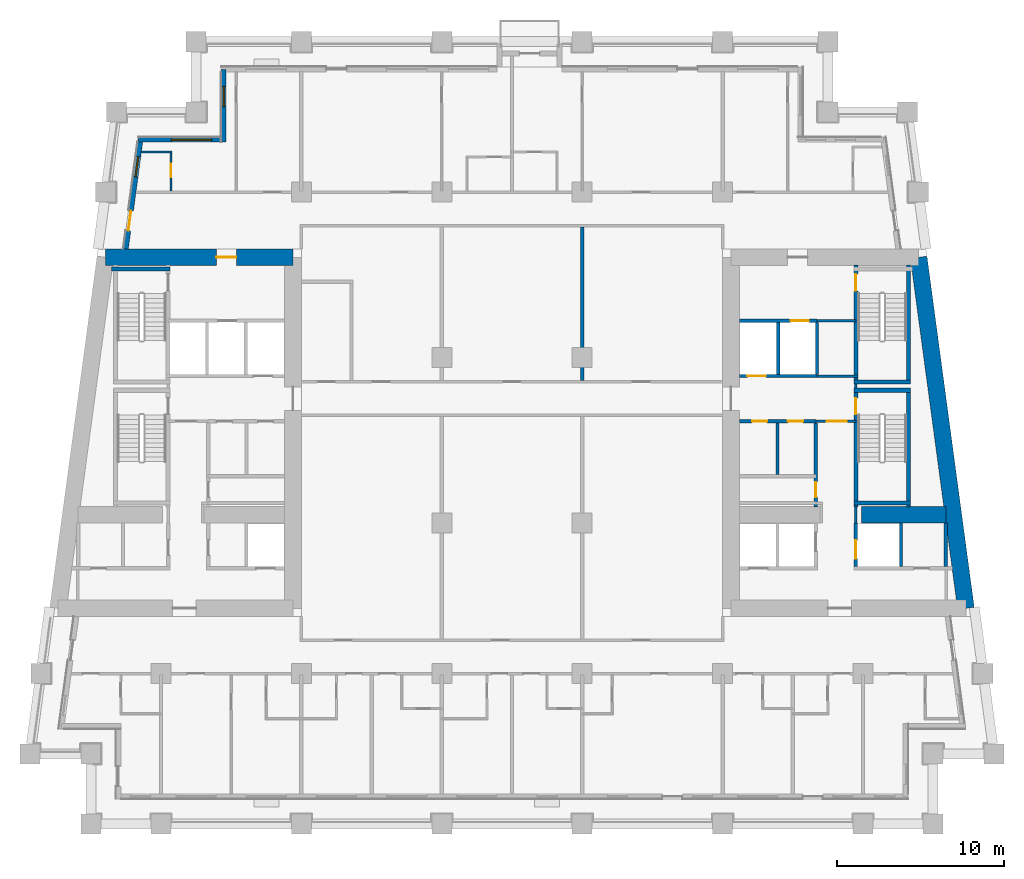
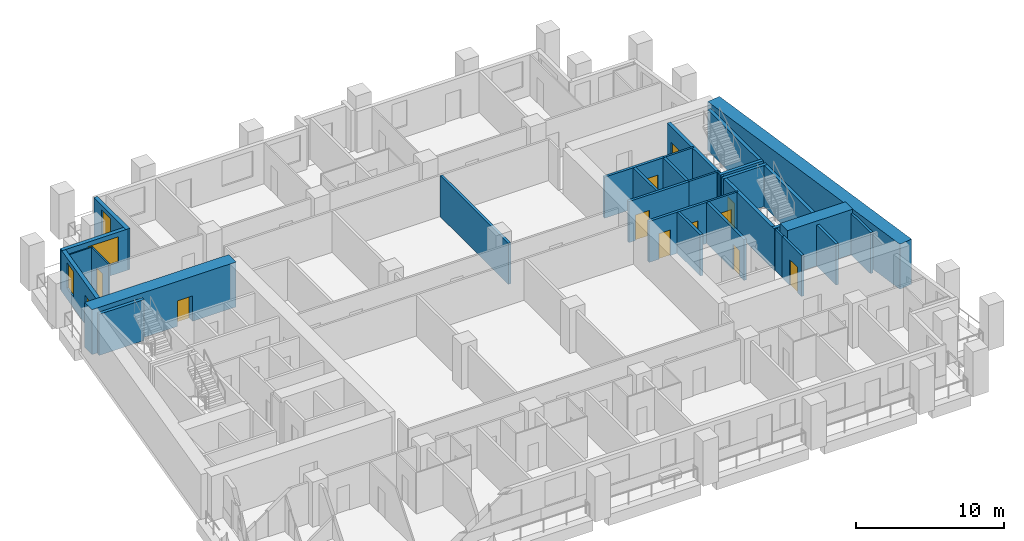
# One storey, part 6 of 13: 32 walls, 12 doors, 3 windows, 15 openings.
"""IFC4 building model written with IfcOpenShell, lengths in metres."""

from ifc_helpers import new_model, si_unit, direction, frame, frame_2d, origin, place, context, subcontext, project, spatial, rectangle, extrude, material, layer, layer_set, type_object, element, fill, save


model = new_model("IFC4")

# Units and contexts
model_context = context("Model", 3, precision=1e-05, world=origin(), true_north=direction((0.0, 1.0)))
body_context = subcontext(model_context, "Body", "Model", "MODEL_VIEW")
ifc_project = project(units=[si_unit("LENGTHUNIT", "METRE"), si_unit("AREAUNIT", "SQUARE_METRE"), si_unit("VOLUMEUNIT", "CUBIC_METRE"), si_unit("PLANEANGLEUNIT", "RADIAN"), si_unit("MASSUNIT", "GRAM", prefix="KILO")], contexts=[model_context])

# Site, building, storey
site_placement = place(None, origin())
site = spatial("IfcSite", under=ifc_project, at=site_placement, CompositionType="ELEMENT")
building_placement = place(site_placement, origin())
building = spatial("IfcBuilding", under=site, at=building_placement, Name="Candeia Pilgrim Tower and Theatre", CompositionType="ELEMENT")
storey_placement = place(building_placement, frame((0.0, 0.0, 94.699951171875)))
storey = spatial("IfcBuildingStorey", under=building, at=storey_placement, Name="L21", CompositionType="ELEMENT", Elevation=94.699951171875)

# Wall, opening, door
ifc_material_1 = material(Name="Concrete C70/85", Category="concrete")
ifc_layer_1 = layer(ifc_material_1, 1.0)
ifc_layer_set_1 = layer_set([ifc_layer_1], Name="Core wall 1000 C70/85")
wall_type_1 = type_object("IfcWallType", Name="Core wall 1000 C70/85", PredefinedType="SHEAR", material=ifc_layer_set_1)
wall_1_placement = place(storey_placement, frame((89.06787109375, 131.89990234375, 0.0), z_axis=(0.0, 0.0, 1.0), x_axis=(1.0, 0.0, 0.0)))
wall_1 = element("IfcWall", 1, at=wall_1_placement, inside=storey, type_object=wall_type_1, Name="Core wall W1", PredefinedType="SHEAR", context=body_context, shape_type="SweptSolid", body=[
    extrude(rectangle(XDim=11.232177734375, YDim=1.0, at=frame_2d((5.6162109375, 0.0))), origin(), (0.0, 0.0, 1.0), 3.699951171875),
])
opening_1_placement = place(wall_1_placement, frame((6.6455078125, 0.0, 0.0)))
opening_1 = element("IfcOpeningElement", 2, at=opening_1_placement, cuts=wall_1, Name="Opening L21-D058", PredefinedType="OPENING", context=body_context, shape_type="SweptSolid", body=[
    extrude(rectangle(XDim=1.199951171875, YDim=2.10009765625, at=frame_2d((0.60009765625, 1.050048828125))), frame((0.0, 0.510009765625, 0.0), z_axis=(0.0, -1.0, 0.0), x_axis=(1.0, 0.0, 0.0)), (0.0, 0.0, 1.0), 1.02001953125),
])
ifc_material_2 = material(Name="Steel fire door set", Category="steel")
door_type_1 = type_object("IfcDoorType", Name="D-1200-FD60", OperationType="NOTDEFINED", PredefinedType="DOOR", material=ifc_material_2)
door_1_placement = place(opening_1_placement, origin())
door_1 = element("IfcDoor", 3, at=door_1_placement, inside=storey, type_object=door_type_1, Name="Door L21-D058", OperationType="SINGLE_SWING_LEFT", OverallHeight=2.10009765625, OverallWidth=1.199951171875, PredefinedType="DOOR", context=body_context, shape_type="SweptSolid", body=[
    extrude(rectangle(XDim=1.199951171875, YDim=2.10009765625, at=frame_2d((0.60009765625, 1.050048828125))), frame((0.0, 0.02490234375, 0.0), z_axis=(0.0, -1.0, 0.0), x_axis=(1.0, 0.0, 0.0)), (0.0, 0.0, 1.0), 0.050048828125),
])
fill(opening_1, door_1)

# Walls
wall_2_placement = place(storey_placement, frame((137.73193359375, 131.89990234375, 0.0), z_axis=(0.0, 0.0, 1.0), x_axis=(0.133411141623, -0.991060778808, 0.0)))
element("IfcWall", 4, at=wall_2_placement, inside=storey, type_object=wall_type_1, Name="Core wall E2", PredefinedType="SHEAR", context=body_context, shape_type="SweptSolid", body=[
    extrude(rectangle(XDim=21.189453125, YDim=1.0, at=frame_2d((10.5947265625, 0.0))), origin(), (0.0, 0.0, 1.0), 3.699951171875),
])
wall_3_placement = place(storey_placement, frame((134.300048828125, 116.5, 0.0), z_axis=(0.0, 0.0, 1.0), x_axis=(1.0, 0.0, 0.0)))
element("IfcWall", 5, at=wall_3_placement, inside=storey, type_object=wall_type_1, Name="Core wall E6", PredefinedType="SHEAR", context=body_context, shape_type="SweptSolid", body=[
    extrude(rectangle(XDim=5.076904296875, YDim=1.0, at=frame_2d((2.53857421875, 0.0))), origin(), (0.0, 0.0, 1.0), 3.699951171875),
])

# Wall, opening, window
ifc_material_3 = material(Name="Ceramic block masonry", Category="masonry")
ifc_layer_2 = layer(ifc_material_3, 0.300048828125)
ifc_layer_set_2 = layer_set([ifc_layer_2], Name="EW1 glazing-line wall 300")
wall_type_2 = type_object("IfcWallType", Name="EW1 glazing-line wall 300", PredefinedType="SOLIDWALL", material=ifc_layer_set_2)
wall_4_placement = place(storey_placement, frame((96.14990234375, 143.14990234375, 0.0), z_axis=(0.0, 0.0, 1.0), x_axis=(0.0, -1.0, 0.0)))
wall_4 = element("IfcWall", 6, at=wall_4_placement, inside=storey, type_object=wall_type_2, Name="External wall L21-7.0", PredefinedType="SOLIDWALL", context=body_context, shape_type="SweptSolid", body=[
    extrude(rectangle(XDim=4.349853515625, YDim=0.300048828125, at=frame_2d((2.1748046875, 0.0))), origin(), (0.0, 0.0, 1.0), 3.380126953125),
])
opening_2_placement = place(wall_4_placement, frame((1.02490234375, 0.0, 0.89990234375)))
opening_2 = element("IfcOpeningElement", 7, at=opening_2_placement, cuts=wall_4, Name="Opening W-B", PredefinedType="OPENING", context=body_context, shape_type="SweptSolid", body=[
    extrude(rectangle(XDim=1.199951171875, YDim=2.10009765625, at=frame_2d((0.60009765625, 1.050048828125))), frame((0.0, 0.16015625, 0.0), z_axis=(0.0, -1.0, 0.0), x_axis=(1.0, 0.0, 0.0)), (0.0, 0.0, 1.0), 0.320068359375),
])
ifc_material_4 = material(Name="Aluminium framed double glazing", Category="aluminium")
window_type_1 = type_object("IfcWindowType", Name="W-B window 1200x2100", PartitioningType="SINGLE_PANEL", PredefinedType="WINDOW", material=ifc_material_4)
window_1_placement = place(opening_2_placement, origin())
window_1 = element("IfcWindow", 8, at=window_1_placement, inside=storey, type_object=window_type_1, Name="Window W-B L21", OverallHeight=2.10009765625, OverallWidth=1.199951171875, PartitioningType="SINGLE_PANEL", PredefinedType="WINDOW", context=body_context, shape_type="SweptSolid", body=[
    extrude(rectangle(XDim=1.199951171875, YDim=2.10009765625, at=frame_2d((0.60009765625, 1.050048828125))), frame((0.0, 0.030029296875, 0.0), z_axis=(0.0, -1.0, 0.0), x_axis=(1.0, 0.0, 0.0)), (0.0, 0.0, 1.0), 0.06005859375),
])
fill(opening_2, window_1)

wall_5_placement = place(storey_placement, frame((96.14990234375, 138.949951171875, 0.0), z_axis=(0.0, 0.0, 1.0), x_axis=(-1.0, 0.0, 0.0)))
wall_5 = element("IfcWall", 9, at=wall_5_placement, inside=storey, type_object=wall_type_2, Name="External wall L21-8.0", PredefinedType="SOLIDWALL", context=body_context, shape_type="SweptSolid", body=[
    extrude(rectangle(XDim=5.103759765625, YDim=0.300048828125, at=frame_2d((2.5517578125, 0.0))), origin(), (0.0, 0.0, 1.0), 3.380126953125),
])
opening_3_placement = place(wall_5_placement, frame((0.72509765625, 0.0, 0.89990234375)))
opening_3 = element("IfcOpeningElement", 10, at=opening_3_placement, cuts=wall_5, Name="Opening W-A", PredefinedType="OPENING", context=body_context, shape_type="SweptSolid", body=[
    extrude(rectangle(XDim=2.39990234375, YDim=2.10009765625, at=frame_2d((1.199951171875, 1.050048828125))), frame((0.0, 0.16015625, 0.0), z_axis=(0.0, -1.0, 0.0), x_axis=(1.0, 0.0, 0.0)), (0.0, 0.0, 1.0), 0.320068359375),
])
window_type_2 = type_object("IfcWindowType", Name="W-A window 2400x2100", PartitioningType="DOUBLE_PANEL_VERTICAL", PredefinedType="WINDOW", material=ifc_material_4)
window_2_placement = place(opening_3_placement, origin())
window_2 = element("IfcWindow", 11, at=window_2_placement, inside=storey, type_object=window_type_2, Name="Window W-A L21", OverallHeight=2.10009765625, OverallWidth=2.39990234375, PartitioningType="SINGLE_PANEL", PredefinedType="WINDOW", context=body_context, shape_type="SweptSolid", body=[
    extrude(rectangle(XDim=2.39990234375, YDim=2.10009765625, at=frame_2d((1.199951171875, 1.050048828125))), frame((0.0, 0.030029296875, 0.0), z_axis=(0.0, -1.0, 0.0), x_axis=(1.0, 0.0, 0.0)), (0.0, 0.0, 1.0), 0.06005859375),
])
fill(opening_3, window_2)

# Wall, openings, door, window
wall_6_placement = place(storey_placement, frame((91.177490234375, 138.949951171875, 0.0), z_axis=(0.0, 0.0, 1.0), x_axis=(-0.133426664613, -0.991058689065, 0.0)))
wall_6 = element("IfcWall", 12, at=wall_6_placement, inside=storey, type_object=wall_type_2, Name="External wall L21-9.0", PredefinedType="SOLIDWALL", context=body_context, shape_type="SweptSolid", body=[
    extrude(rectangle(XDim=6.609130859375, YDim=0.300048828125, at=frame_2d((3.3046875, 0.0))), origin(), (0.0, 0.0, 1.0), 3.380126953125),
])
opening_4_placement = place(wall_6_placement, frame((1.039306640625, 0.0, 0.89990234375)))
opening_4 = element("IfcOpeningElement", 13, at=opening_4_placement, cuts=wall_6, Name="Opening W-B", PredefinedType="OPENING", context=body_context, shape_type="SweptSolid", body=[
    extrude(rectangle(XDim=1.199951171875, YDim=2.10009765625, at=frame_2d((0.60009765625, 1.050048828125))), frame((0.0, 0.16015625, 0.0), z_axis=(0.0, -1.0, 0.0), x_axis=(1.0, 0.0, 0.0)), (0.0, 0.0, 1.0), 0.320068359375),
])
opening_5_placement = place(wall_6_placement, frame((4.293701171875, 0.0, 0.0)))
opening_5 = element("IfcOpeningElement", 14, at=opening_5_placement, cuts=wall_6, Name="Opening L21-ED222", PredefinedType="OPENING", context=body_context, shape_type="SweptSolid", body=[
    extrude(rectangle(XDim=1.199951171875, YDim=2.39990234375, at=frame_2d((0.60009765625, 1.199951171875))), frame((0.0, 0.16015625, 0.0), z_axis=(0.0, -1.0, 0.0), x_axis=(1.0, 0.0, 0.0)), (0.0, 0.0, 1.0), 0.320068359375),
])
ifc_material_5 = material(Name="Aluminium framed glazed door", Category="aluminium")
door_type_2 = type_object("IfcDoorType", Name="Loggia door 1200x2400", OperationType="DOUBLE_DOOR_SINGLE_SWING", PredefinedType="DOOR", material=ifc_material_5)
door_2_placement = place(opening_5_placement, origin())
door_2 = element("IfcDoor", 15, at=door_2_placement, inside=storey, type_object=door_type_2, Name="Loggia door L21-ED222", OperationType="DOUBLE_DOOR_SINGLE_SWING", OverallHeight=2.39990234375, OverallWidth=1.199951171875, PredefinedType="DOOR", context=body_context, shape_type="SweptSolid", body=[
    extrude(rectangle(XDim=1.199951171875, YDim=2.39990234375, at=frame_2d((0.60009765625, 1.199951171875))), frame((0.0, 0.02490234375, 0.0), z_axis=(0.0, -1.0, 0.0), x_axis=(1.0, 0.0, 0.0)), (0.0, 0.0, 1.0), 0.050048828125),
])
fill(opening_5, door_2)
window_3_placement = place(opening_4_placement, origin())
window_3 = element("IfcWindow", 16, at=window_3_placement, inside=storey, type_object=window_type_1, Name="Window W-B L21", OverallHeight=2.10009765625, OverallWidth=1.199951171875, PartitioningType="SINGLE_PANEL", PredefinedType="WINDOW", context=body_context, shape_type="SweptSolid", body=[
    extrude(rectangle(XDim=1.199951171875, YDim=2.10009765625, at=frame_2d((0.60009765625, 1.050048828125))), frame((0.0, 0.030029296875, 0.0), z_axis=(0.0, -1.0, 0.0), x_axis=(1.0, 0.0, 0.0)), (0.0, 0.0, 1.0), 0.06005859375),
])
fill(opening_4, window_3)

# Wall
ifc_material_6 = material(Name="Gypsum board partition on steel studs", Category="steel")
ifc_layer_3 = layer(ifc_material_6, 0.10009765625)
ifc_layer_set_3 = layer_set([ifc_layer_3], Name="PW-100 room partition")
wall_type_3 = type_object("IfcWallType", Name="PW-100 room partition", PredefinedType="PARTITIONING", material=ifc_layer_set_3)
wall_7_placement = place(storey_placement, frame((91.2177734375, 138.199951171875, 0.0), z_axis=(0.0, 0.0, 1.0), x_axis=(1.0, 0.0, 0.0)))
element("IfcWall", 17, at=wall_7_placement, inside=storey, type_object=wall_type_3, Name="Room partition L21-046", PredefinedType="PARTITIONING", context=body_context, shape_type="SweptSolid", body=[
    extrude(rectangle(XDim=1.832275390625, YDim=0.10009765625, at=frame_2d((0.916015625, 0.0))), origin(), (0.0, 0.0, 1.0), 3.380126953125),
])

# Wall, opening, door
wall_8_placement = place(storey_placement, frame((93.0, 135.875, 0.0), z_axis=(0.0, 0.0, 1.0), x_axis=(0.0, 1.0, 0.0)))
wall_8 = element("IfcWall", 18, at=wall_8_placement, inside=storey, type_object=wall_type_3, Name="Room partition L21-061", PredefinedType="PARTITIONING", context=body_context, shape_type="SweptSolid", body=[
    extrude(rectangle(XDim=2.27490234375, YDim=0.10009765625, at=frame_2d((1.137451171875, 0.0))), origin(), (0.0, 0.0, 1.0), 3.380126953125),
])
opening_6_placement = place(wall_8_placement, frame((0.81494140625, 0.0, 0.0)))
opening_6 = element("IfcOpeningElement", 19, at=opening_6_placement, cuts=wall_8, Name="Opening L21-D040", PredefinedType="OPENING", context=body_context, shape_type="SweptSolid", body=[
    extrude(rectangle(XDim=0.800048828125, YDim=2.10009765625, at=frame_2d((0.39990234375, 1.050048828125))), frame((0.0, 0.06005859375, 0.0), z_axis=(0.0, -1.0, 0.0), x_axis=(1.0, 0.0, 0.0)), (0.0, 0.0, 1.0), 0.1201171875),
])
ifc_material_7 = material(Name="Timber door leaf", Category="wood")
door_type_3 = type_object("IfcDoorType", Name="D-800", OperationType="NOTDEFINED", PredefinedType="DOOR", material=ifc_material_7)
door_3_placement = place(opening_6_placement, origin())
door_3 = element("IfcDoor", 20, at=door_3_placement, inside=storey, type_object=door_type_3, Name="Door L21-D040", OperationType="SINGLE_SWING_LEFT", OverallHeight=2.10009765625, OverallWidth=0.800048828125, PredefinedType="DOOR", context=body_context, shape_type="SweptSolid", body=[
    extrude(rectangle(XDim=0.800048828125, YDim=2.10009765625, at=frame_2d((0.39990234375, 1.050048828125))), frame((0.0, 0.02490234375, 0.0), z_axis=(0.0, -1.0, 0.0), x_axis=(1.0, 0.0, 0.0)), (0.0, 0.0, 1.0), 0.050048828125),
])
fill(opening_6, door_3)

ifc_layer_4 = layer(ifc_material_6, 0.14990234375)
ifc_layer_set_4 = layer_set([ifc_layer_4], Name="PW-150 lobby wall")
wall_type_4 = type_object("IfcWallType", Name="PW-150 lobby wall", PredefinedType="PARTITIONING", material=ifc_layer_set_4)
wall_9_placement = place(storey_placement, frame((131.572998046875, 122.10009765625, 0.0), z_axis=(0.0, 0.0, 1.0), x_axis=(1.0, 0.0, 0.0)))
wall_9 = element("IfcWall", 21, at=wall_9_placement, inside=storey, type_object=wall_type_4, Name="Lobby wall L21-027", PredefinedType="PARTITIONING", context=body_context, shape_type="SweptSolid", body=[
    extrude(rectangle(XDim=2.39990234375, YDim=0.14990234375, at=frame_2d((1.199951171875, 0.0))), origin(), (0.0, 0.0, 1.0), 3.380126953125),
])
opening_7_placement = place(wall_9_placement, frame((0.64990234375, 0.0, 0.0)))
opening_7 = element("IfcOpeningElement", 22, at=opening_7_placement, cuts=wall_9, Name="Opening L21-D010", PredefinedType="OPENING", context=body_context, shape_type="SweptSolid", body=[
    extrude(rectangle(XDim=1.199951171875, YDim=2.10009765625, at=frame_2d((0.60009765625, 1.050048828125))), frame((0.0, 0.0849609375, 0.0), z_axis=(0.0, -1.0, 0.0), x_axis=(1.0, 0.0, 0.0)), (0.0, 0.0, 1.0), 0.169921875),
])
door_4_placement = place(opening_7_placement, origin())
door_4 = element("IfcDoor", 23, at=door_4_placement, inside=storey, type_object=door_type_1, Name="Door L21-D010", OperationType="SINGLE_SWING_RIGHT", OverallHeight=2.10009765625, OverallWidth=1.199951171875, PredefinedType="DOOR", context=body_context, shape_type="SweptSolid", body=[
    extrude(rectangle(XDim=1.199951171875, YDim=2.10009765625, at=frame_2d((0.60009765625, 1.050048828125))), frame((0.0, 0.02490234375, 0.0), z_axis=(0.0, -1.0, 0.0), x_axis=(1.0, 0.0, 0.0)), (0.0, 0.0, 1.0), 0.050048828125),
])
fill(opening_7, door_4)

# Walls
wall_10_placement = place(storey_placement, frame((131.648681640625, 124.800048828125, 0.0), z_axis=(0.0, 0.0, 1.0), x_axis=(1.0, 0.0, 0.0)))
element("IfcWall", 24, at=wall_10_placement, inside=storey, type_object=wall_type_4, Name="Lobby wall L21-036", PredefinedType="PARTITIONING", context=body_context, shape_type="SweptSolid", body=[
    extrude(rectangle(XDim=2.44921875, YDim=0.14990234375, at=frame_2d((1.224609375, 0.0))), origin(), (0.0, 0.0, 1.0), 3.380126953125),
])
wall_11_placement = place(storey_placement, frame((131.648681640625, 128.10009765625, 0.0), z_axis=(0.0, 0.0, 1.0), x_axis=(1.0, 0.0, 0.0)))
element("IfcWall", 25, at=wall_11_placement, inside=storey, type_object=wall_type_4, Name="Lobby wall L21-039", PredefinedType="PARTITIONING", context=body_context, shape_type="SweptSolid", body=[
    extrude(rectangle(XDim=2.32421875, YDim=0.14990234375, at=frame_2d((1.162109375, 0.0))), origin(), (0.0, 0.0, 1.0), 3.380126953125),
])
wall_12_placement = place(storey_placement, frame((133.972900390625, 116.0, 0.0), z_axis=(0.0, 0.0, 1.0), x_axis=(0.0, 1.0, 0.0)))
element("IfcWall", 26, at=wall_12_placement, inside=storey, type_object=wall_type_4, Name="Lobby wall L21-112", PredefinedType="PARTITIONING", context=body_context, shape_type="SweptSolid", body=[
    extrude(rectangle(XDim=0.969970703125, YDim=0.14990234375, at=frame_2d((0.48486328125, 0.0))), origin(), (0.0, 0.0, 1.0), 3.380126953125),
])
wall_13_placement = place(storey_placement, frame((133.972900390625, 124.074951171875, 0.0), z_axis=(0.0, 0.0, 1.0), x_axis=(0.0, 1.0, 0.0)))
element("IfcWall", 27, at=wall_13_placement, inside=storey, type_object=wall_type_4, Name="Lobby wall L21-113", PredefinedType="PARTITIONING", context=body_context, shape_type="SweptSolid", body=[
    extrude(rectangle(XDim=0.25, YDim=0.14990234375, at=frame_2d((0.125, 0.0))), origin(), (0.0, 0.0, 1.0), 3.380126953125),
])
ifc_layer_5 = layer(ifc_material_6, 0.199951171875)
ifc_layer_set_5 = layer_set([ifc_layer_5], Name="PW-200 party wall")
wall_type_5 = type_object("IfcWallType", Name="PW-200 party wall", PredefinedType="PARTITIONING", material=ifc_layer_set_5)
wall_14_placement = place(storey_placement, frame((117.60009765625, 124.52490234375, 0.0), z_axis=(0.0, 0.0, 1.0), x_axis=(0.0, 1.0, 0.0)))
element("IfcWall", 28, at=wall_14_placement, inside=storey, type_object=wall_type_5, Name="Party wall L21-093", PredefinedType="PARTITIONING", context=body_context, shape_type="SweptSolid", body=[
    extrude(rectangle(XDim=9.2001953125, YDim=0.199951171875, at=frame_2d((4.60009765625, 0.0))), origin(), (0.0, 0.0, 1.0), 3.380126953125),
])

# Wall, openings, doors
ifc_material_8 = material(Name="Concrete C40/50", Category="concrete")
ifc_layer_6 = layer(ifc_material_8, 0.199951171875)
ifc_layer_set_6 = layer_set([ifc_layer_6], Name="SW-200 shaft wall")
wall_type_6 = type_object("IfcWallType", Name="SW-200 shaft wall", PredefinedType="PARTITIONING", material=ifc_layer_set_6)
wall_15_placement = place(storey_placement, frame((127.0, 122.10009765625, 0.0), z_axis=(0.0, 0.0, 1.0), x_axis=(1.0, 0.0, 0.0)))
wall_15 = element("IfcWall", 29, at=wall_15_placement, inside=storey, type_object=wall_type_6, Name="Shaft wall L21-025", PredefinedType="PARTITIONING", context=body_context, shape_type="SweptSolid", body=[
    extrude(rectangle(XDim=4.572998046875, YDim=0.199951171875, at=frame_2d((2.28662109375, 0.0))), origin(), (0.0, 0.0, 1.0), 3.380126953125),
])
opening_8_placement = place(wall_15_placement, frame((2.910888671875, 0.0, 0.0)))
opening_8 = element("IfcOpeningElement", 30, at=opening_8_placement, cuts=wall_15, Name="Opening L21-D011", PredefinedType="OPENING", context=body_context, shape_type="SweptSolid", body=[
    extrude(rectangle(XDim=0.89990234375, YDim=2.10009765625, at=frame_2d((0.449951171875, 1.050048828125))), frame((0.0, 0.10986328125, 0.0), z_axis=(0.0, -1.0, 0.0), x_axis=(1.0, 0.0, 0.0)), (0.0, 0.0, 1.0), 0.219970703125),
])
opening_9_placement = place(wall_15_placement, frame((0.761962890625, 0.0, 0.0)))
opening_9 = element("IfcOpeningElement", 31, at=opening_9_placement, cuts=wall_15, Name="Opening L21-D012", PredefinedType="OPENING", context=body_context, shape_type="SweptSolid", body=[
    extrude(rectangle(XDim=0.89990234375, YDim=2.10009765625, at=frame_2d((0.449951171875, 1.050048828125))), frame((0.0, 0.10986328125, 0.0), z_axis=(0.0, -1.0, 0.0), x_axis=(1.0, 0.0, 0.0)), (0.0, 0.0, 1.0), 0.219970703125),
])
door_type_4 = type_object("IfcDoorType", Name="D-900-FD60", OperationType="NOTDEFINED", PredefinedType="DOOR", material=ifc_material_2)
door_5_placement = place(opening_8_placement, origin())
door_5 = element("IfcDoor", 32, at=door_5_placement, inside=storey, type_object=door_type_4, Name="Door L21-D011", OperationType="SINGLE_SWING_LEFT", OverallHeight=2.10009765625, OverallWidth=0.89990234375, PredefinedType="DOOR", context=body_context, shape_type="SweptSolid", body=[
    extrude(rectangle(XDim=0.89990234375, YDim=2.10009765625, at=frame_2d((0.449951171875, 1.050048828125))), frame((0.0, 0.02490234375, 0.0), z_axis=(0.0, -1.0, 0.0), x_axis=(1.0, 0.0, 0.0)), (0.0, 0.0, 1.0), 0.050048828125),
])
fill(opening_8, door_5)
door_6_placement = place(opening_9_placement, origin())
door_6 = element("IfcDoor", 33, at=door_6_placement, inside=storey, type_object=door_type_4, Name="Door L21-D012", OperationType="SINGLE_SWING_RIGHT", OverallHeight=2.10009765625, OverallWidth=0.89990234375, PredefinedType="DOOR", context=body_context, shape_type="SweptSolid", body=[
    extrude(rectangle(XDim=0.89990234375, YDim=2.10009765625, at=frame_2d((0.449951171875, 1.050048828125))), frame((0.0, 0.02490234375, 0.0), z_axis=(0.0, -1.0, 0.0), x_axis=(1.0, 0.0, 0.0)), (0.0, 0.0, 1.0), 0.050048828125),
])
fill(opening_9, door_6)

# Wall, opening, door
wall_16_placement = place(storey_placement, frame((127.0, 124.800048828125, 0.0), z_axis=(0.0, 0.0, 1.0), x_axis=(1.0, 0.0, 0.0)))
wall_16 = element("IfcWall", 34, at=wall_16_placement, inside=storey, type_object=wall_type_6, Name="Shaft wall L21-035", PredefinedType="PARTITIONING", context=body_context, shape_type="SweptSolid", body=[
    extrude(rectangle(XDim=4.648681640625, YDim=0.199951171875, at=frame_2d((2.32421875, 0.0))), origin(), (0.0, 0.0, 1.0), 3.380126953125),
])
opening_10_placement = place(wall_16_placement, frame((0.48095703125, 0.0, 0.0)))
opening_10 = element("IfcOpeningElement", 35, at=opening_10_placement, cuts=wall_16, Name="Opening L21-LD05", PredefinedType="OPENING", context=body_context, shape_type="SweptSolid", body=[
    extrude(rectangle(XDim=1.10009765625, YDim=2.10009765625, at=frame_2d((0.550048828125, 1.050048828125))), frame((0.0, 0.10986328125, 0.0), z_axis=(0.0, -1.0, 0.0), x_axis=(1.0, 0.0, 0.0)), (0.0, 0.0, 1.0), 0.219970703125),
])
ifc_material_9 = material(Name="Glazed aluminium landing door", Category="aluminium")
door_type_5 = type_object("IfcDoorType", Name="LD-1100-EI120", OperationType="SLIDING_TO_LEFT", PredefinedType="DOOR", material=ifc_material_9)
door_7_placement = place(opening_10_placement, origin())
door_7 = element("IfcDoor", 36, at=door_7_placement, inside=storey, type_object=door_type_5, Name="Landing door 05 L21", OperationType="SLIDING_TO_LEFT", OverallHeight=2.10009765625, OverallWidth=1.10009765625, PredefinedType="DOOR", context=body_context, shape_type="SweptSolid", body=[
    extrude(rectangle(XDim=1.10009765625, YDim=2.10009765625, at=frame_2d((0.550048828125, 1.050048828125))), frame((0.0, 0.02490234375, 0.0), z_axis=(0.0, -1.0, 0.0), x_axis=(1.0, 0.0, 0.0)), (0.0, 0.0, 1.0), 0.050048828125),
])
fill(opening_10, door_7)

wall_17_placement = place(storey_placement, frame((127.0, 128.10009765625, 0.0), z_axis=(0.0, 0.0, 1.0), x_axis=(1.0, 0.0, 0.0)))
wall_17 = element("IfcWall", 37, at=wall_17_placement, inside=storey, type_object=wall_type_6, Name="Shaft wall L21-038", PredefinedType="PARTITIONING", context=body_context, shape_type="SweptSolid", body=[
    extrude(rectangle(XDim=4.648681640625, YDim=0.199951171875, at=frame_2d((2.32421875, 0.0))), origin(), (0.0, 0.0, 1.0), 3.380126953125),
])
opening_11_placement = place(wall_17_placement, frame((3.068115234375, 0.0, 0.0)))
opening_11 = element("IfcOpeningElement", 38, at=opening_11_placement, cuts=wall_17, Name="Opening L21-LD04", PredefinedType="OPENING", context=body_context, shape_type="SweptSolid", body=[
    extrude(rectangle(XDim=1.10009765625, YDim=2.10009765625, at=frame_2d((0.550048828125, 1.050048828125))), frame((0.0, 0.10986328125, 0.0), z_axis=(0.0, -1.0, 0.0), x_axis=(1.0, 0.0, 0.0)), (0.0, 0.0, 1.0), 0.219970703125),
])
door_8_placement = place(opening_11_placement, origin())
door_8 = element("IfcDoor", 39, at=door_8_placement, inside=storey, type_object=door_type_5, Name="Landing door 04 L21", OperationType="SLIDING_TO_LEFT", OverallHeight=2.10009765625, OverallWidth=1.10009765625, PredefinedType="DOOR", context=body_context, shape_type="SweptSolid", body=[
    extrude(rectangle(XDim=1.10009765625, YDim=2.10009765625, at=frame_2d((0.550048828125, 1.050048828125))), frame((0.0, 0.02490234375, 0.0), z_axis=(0.0, -1.0, 0.0), x_axis=(1.0, 0.0, 0.0)), (0.0, 0.0, 1.0), 0.050048828125),
])
fill(opening_11, door_8)

# Walls
for number, where, z_axis, x_axis, name in (
    (40, (129.28662109375, 118.89990234375, 0.0), (0.0, 0.0, 1.0), (0.0, 1.0, 0.0), "Shaft wall L21-101"),
    (41, (129.32421875, 124.89990234375, 0.0), (0.0, 0.0, 1.0), (0.0, 1.0, 0.0), "Shaft wall L21-102"),
):
    element("IfcWall", number, at=place(storey_placement, frame(where, z_axis=z_axis, x_axis=x_axis)), inside=storey, type_object=wall_type_6, Name=name, PredefinedType="PARTITIONING", context=body_context, shape_type="SweptSolid", body=[
        extrude(rectangle(XDim=3.10009765625, YDim=0.199951171875, at=frame_2d((1.550048828125, 0.0))), origin(), (0.0, 0.0, 1.0), 3.380126953125),
    ])

# Wall, opening, door
wall_18_placement = place(storey_placement, frame((131.572998046875, 116.969970703125, 0.0), z_axis=(0.0, 0.0, 1.0), x_axis=(0.0, 1.0, 0.0)))
wall_18 = element("IfcWall", 42, at=wall_18_placement, inside=storey, type_object=wall_type_6, Name="Shaft wall L21-106", PredefinedType="PARTITIONING", context=body_context, shape_type="SweptSolid", body=[
    extrude(rectangle(XDim=5.030029296875, YDim=0.199951171875, at=frame_2d((2.51513671875, 0.0))), origin(), (0.0, 0.0, 1.0), 3.380126953125),
])
opening_12_placement = place(wall_18_placement, frame((0.580078125, 0.0, 0.0)))
opening_12 = element("IfcOpeningElement", 43, at=opening_12_placement, cuts=wall_18, Name="Opening L21-D015", PredefinedType="OPENING", context=body_context, shape_type="SweptSolid", body=[
    extrude(rectangle(XDim=0.89990234375, YDim=2.10009765625, at=frame_2d((0.449951171875, 1.050048828125))), frame((0.0, 0.10986328125, 0.0), z_axis=(0.0, -1.0, 0.0), x_axis=(1.0, 0.0, 0.0)), (0.0, 0.0, 1.0), 0.219970703125),
])
door_9_placement = place(opening_12_placement, origin())
door_9 = element("IfcDoor", 44, at=door_9_placement, inside=storey, type_object=door_type_4, Name="Door L21-D015", OperationType="SINGLE_SWING_LEFT", OverallHeight=2.10009765625, OverallWidth=0.89990234375, PredefinedType="DOOR", context=body_context, shape_type="SweptSolid", body=[
    extrude(rectangle(XDim=0.89990234375, YDim=2.10009765625, at=frame_2d((0.449951171875, 1.050048828125))), frame((0.0, 0.02490234375, 0.0), z_axis=(0.0, -1.0, 0.0), x_axis=(1.0, 0.0, 0.0)), (0.0, 0.0, 1.0), 0.050048828125),
])
fill(opening_12, door_9)

# Wall
wall_19_placement = place(storey_placement, frame((131.648681640625, 124.89990234375, 0.0), z_axis=(0.0, 0.0, 1.0), x_axis=(0.0, 1.0, 0.0)))
element("IfcWall", 45, at=wall_19_placement, inside=storey, type_object=wall_type_6, Name="Shaft wall L21-107", PredefinedType="PARTITIONING", context=body_context, shape_type="SweptSolid", body=[
    extrude(rectangle(XDim=3.10009765625, YDim=0.199951171875, at=frame_2d((1.550048828125, 0.0))), origin(), (0.0, 0.0, 1.0), 3.380126953125),
])

# Wall, opening, door
wall_20_placement = place(storey_placement, frame((133.972900390625, 113.39990234375, 0.0), z_axis=(0.0, 0.0, 1.0), x_axis=(0.0, 1.0, 0.0)))
wall_20 = element("IfcWall", 46, at=wall_20_placement, inside=storey, type_object=wall_type_6, Name="Shaft wall L21-111", PredefinedType="PARTITIONING", context=body_context, shape_type="SweptSolid", body=[
    extrude(rectangle(XDim=2.60009765625, YDim=0.199951171875, at=frame_2d((1.300048828125, 0.0))), origin(), (0.0, 0.0, 1.0), 3.380126953125),
])
opening_13_placement = place(wall_20_placement, frame((0.47509765625, 0.0, 0.0)))
opening_13 = element("IfcOpeningElement", 47, at=opening_13_placement, cuts=wall_20, Name="Opening L21-LD06", PredefinedType="OPENING", context=body_context, shape_type="SweptSolid", body=[
    extrude(rectangle(XDim=1.10009765625, YDim=2.10009765625, at=frame_2d((0.550048828125, 1.050048828125))), frame((0.0, 0.10986328125, 0.0), z_axis=(0.0, -1.0, 0.0), x_axis=(1.0, 0.0, 0.0)), (0.0, 0.0, 1.0), 0.219970703125),
])
door_10_placement = place(opening_13_placement, origin())
door_10 = element("IfcDoor", 48, at=door_10_placement, inside=storey, type_object=door_type_5, Name="Landing door 06 L21", OperationType="SLIDING_TO_LEFT", OverallHeight=2.10009765625, OverallWidth=1.10009765625, PredefinedType="DOOR", context=body_context, shape_type="SweptSolid", body=[
    extrude(rectangle(XDim=1.10009765625, YDim=2.10009765625, at=frame_2d((0.550048828125, 1.050048828125))), frame((0.0, 0.02490234375, 0.0), z_axis=(0.0, -1.0, 0.0), x_axis=(1.0, 0.0, 0.0)), (0.0, 0.0, 1.0), 0.050048828125),
])
fill(opening_13, door_10)

# Walls
for number, where, z_axis, x_axis, name in (
    (49, (136.672119140625, 113.39990234375, 0.0), (0.0, 0.0, 1.0), (0.0, 1.0, 0.0), "Shaft wall L21-117"),
    (50, (139.348876953125, 113.39990234375, 0.0), (0.0, 0.0, 1.0), (0.0, 1.0, 0.0), "Shaft wall L21-121"),
):
    element("IfcWall", number, at=place(storey_placement, frame(where, z_axis=z_axis, x_axis=x_axis)), inside=storey, type_object=wall_type_6, Name=name, PredefinedType="PARTITIONING", context=body_context, shape_type="SweptSolid", body=[
        extrude(rectangle(XDim=2.60009765625, YDim=0.199951171875, at=frame_2d((1.300048828125, 0.0))), origin(), (0.0, 0.0, 1.0), 3.380126953125),
    ])
ifc_layer_7 = layer(ifc_material_8, 0.25)
ifc_layer_set_7 = layer_set([ifc_layer_7], Name="SW-250 stair wall")
wall_type_7 = type_object("IfcWallType", Name="SW-250 stair wall", PredefinedType="PARTITIONING", material=ifc_layer_set_7)
for number, where, z_axis, x_axis, name in (
    (51, (133.847900390625, 117.199951171875, 0.0), (0.0, 0.0, 1.0), (1.0, 0.0, 0.0), "Stair wall L21-021"),
    (52, (133.847900390625, 123.949951171875, 0.0), (0.0, 0.0, 1.0), (1.0, 0.0, 0.0), "Stair wall L21-030"),
    (53, (133.847900390625, 124.449951171875, 0.0), (0.0, 0.0, 1.0), (1.0, 0.0, 0.0), "Stair wall L21-032"),
):
    element("IfcWall", number, at=place(storey_placement, frame(where, z_axis=z_axis, x_axis=x_axis)), inside=storey, type_object=wall_type_7, Name=name, PredefinedType="PARTITIONING", context=body_context, shape_type="SweptSolid", body=[
        extrude(rectangle(XDim=3.400146484375, YDim=0.25, at=frame_2d((1.7001953125, 0.0))), origin(), (0.0, 0.0, 1.0), 3.380126953125),
    ])
wall_21_placement = place(storey_placement, frame((89.4482421875, 131.199951171875, 0.0), z_axis=(0.0, 0.0, 1.0), x_axis=(1.0, 0.0, 0.0)))
element("IfcWall", 54, at=wall_21_placement, inside=storey, type_object=wall_type_7, Name="Stair wall L21-041", PredefinedType="PARTITIONING", context=body_context, shape_type="SweptSolid", body=[
    extrude(rectangle(XDim=3.503662109375, YDim=0.25, at=frame_2d((1.751953125, 0.0))), origin(), (0.0, 0.0, 1.0), 3.380126953125),
])

# Wall, opening, door
wall_22_placement = place(storey_placement, frame((133.972900390625, 116.969970703125, 0.0), z_axis=(0.0, 0.0, 1.0), x_axis=(0.0, 1.0, 0.0)))
wall_22 = element("IfcWall", 55, at=wall_22_placement, inside=storey, type_object=wall_type_7, Name="Stair wall L21-114", PredefinedType="PARTITIONING", context=body_context, shape_type="SweptSolid", body=[
    extrude(rectangle(XDim=6.85498046875, YDim=0.25, at=frame_2d((3.427490234375, 0.0))), origin(), (0.0, 0.0, 1.0), 3.380126953125),
])
opening_14_placement = place(wall_22_placement, frame((5.554931640625, 0.0, 0.0)))
opening_14 = element("IfcOpeningElement", 56, at=opening_14_placement, cuts=wall_22, Name="Opening L21-D013", PredefinedType="OPENING", context=body_context, shape_type="SweptSolid", body=[
    extrude(rectangle(XDim=0.949951171875, YDim=2.10009765625, at=frame_2d((0.47509765625, 1.050048828125))), frame((0.0, 0.135009765625, 0.0), z_axis=(0.0, -1.0, 0.0), x_axis=(1.0, 0.0, 0.0)), (0.0, 0.0, 1.0), 0.27001953125),
])
door_type_6 = type_object("IfcDoorType", Name="D-950-FD60", OperationType="NOTDEFINED", PredefinedType="DOOR", material=ifc_material_2)
door_11_placement = place(opening_14_placement, origin())
door_11 = element("IfcDoor", 57, at=door_11_placement, inside=storey, type_object=door_type_6, Name="Door L21-D013", OperationType="SINGLE_SWING_LEFT", OverallHeight=2.10009765625, OverallWidth=0.949951171875, PredefinedType="DOOR", context=body_context, shape_type="SweptSolid", body=[
    extrude(rectangle(XDim=0.949951171875, YDim=2.10009765625, at=frame_2d((0.47509765625, 1.050048828125))), frame((0.0, 0.02490234375, 0.0), z_axis=(0.0, -1.0, 0.0), x_axis=(1.0, 0.0, 0.0)), (0.0, 0.0, 1.0), 0.050048828125),
])
fill(opening_14, door_11)

wall_23_placement = place(storey_placement, frame((133.972900390625, 124.574951171875, 0.0), z_axis=(0.0, 0.0, 1.0), x_axis=(0.0, 1.0, 0.0)))
wall_23 = element("IfcWall", 58, at=wall_23_placement, inside=storey, type_object=wall_type_7, Name="Stair wall L21-115", PredefinedType="PARTITIONING", context=body_context, shape_type="SweptSolid", body=[
    extrude(rectangle(XDim=6.85498046875, YDim=0.25, at=frame_2d((3.427490234375, 0.0))), origin(), (0.0, 0.0, 1.0), 3.380126953125),
])
opening_15_placement = place(wall_23_placement, frame((5.324951171875, 0.0, 0.0)))
opening_15 = element("IfcOpeningElement", 59, at=opening_15_placement, cuts=wall_23, Name="Opening L21-D014", PredefinedType="OPENING", context=body_context, shape_type="SweptSolid", body=[
    extrude(rectangle(XDim=1.0, YDim=2.10009765625, at=frame_2d((0.5, 1.050048828125))), frame((0.0, 0.135009765625, 0.0), z_axis=(0.0, -1.0, 0.0), x_axis=(1.0, 0.0, 0.0)), (0.0, 0.0, 1.0), 0.27001953125),
])
door_type_7 = type_object("IfcDoorType", Name="D-1000-FD60", OperationType="NOTDEFINED", PredefinedType="DOOR", material=ifc_material_2)
door_12_placement = place(opening_15_placement, origin())
door_12 = element("IfcDoor", 60, at=door_12_placement, inside=storey, type_object=door_type_7, Name="Door L21-D014", OperationType="SINGLE_SWING_RIGHT", OverallHeight=2.10009765625, OverallWidth=1.0, PredefinedType="DOOR", context=body_context, shape_type="SweptSolid", body=[
    extrude(rectangle(XDim=1.0, YDim=2.10009765625, at=frame_2d((0.5, 1.050048828125))), frame((0.0, 0.02490234375, 0.0), z_axis=(0.0, -1.0, 0.0), x_axis=(1.0, 0.0, 0.0)), (0.0, 0.0, 1.0), 0.050048828125),
])
fill(opening_15, door_12)

# Walls
for number, where, z_axis, x_axis, name in (
    (61, (137.123046875, 116.969970703125, 0.0), (0.0, 0.0, 1.0), (0.0, 1.0, 0.0), "Stair wall L21-118"),
    (62, (137.123046875, 124.574951171875, 0.0), (0.0, 0.0, 1.0), (0.0, 1.0, 0.0), "Stair wall L21-119"),
):
    element("IfcWall", number, at=place(storey_placement, frame(where, z_axis=z_axis, x_axis=x_axis)), inside=storey, type_object=wall_type_7, Name=name, PredefinedType="PARTITIONING", context=body_context, shape_type="SweptSolid", body=[
        extrude(rectangle(XDim=6.85498046875, YDim=0.25, at=frame_2d((3.427490234375, 0.0))), origin(), (0.0, 0.0, 1.0), 3.380126953125),
    ])

save(model, "model.ifc")
